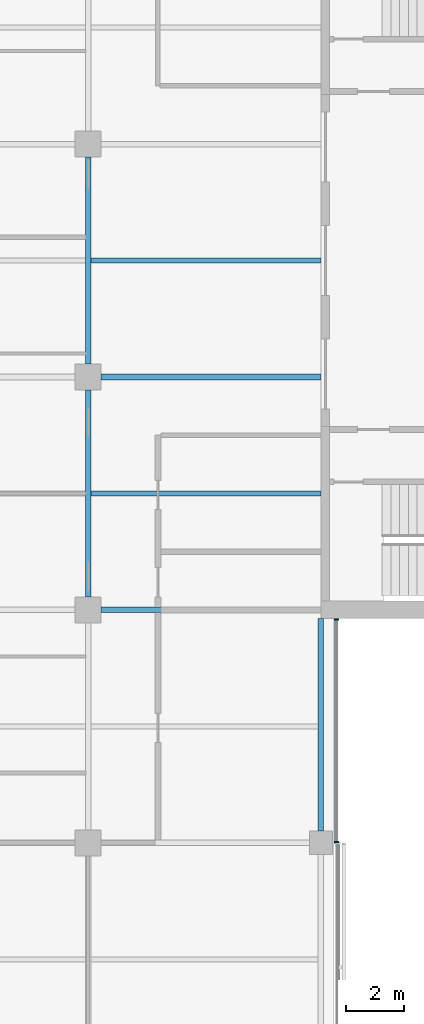
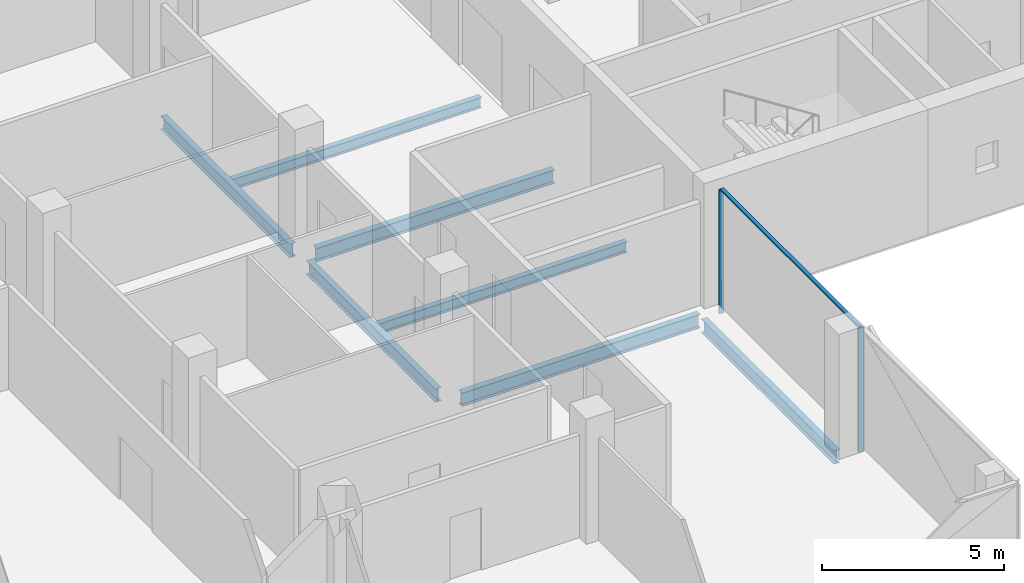
# One storey, part 4 of 15: 7 beams, 3 members, 1 element without a shape of its own.
"""IFC4 building model written with IfcOpenShell, lengths in metres."""

import ifcopenshell
import ifcopenshell.guid

model = None  # the IFC model being written
_history = None  # IfcOwnerHistory: only IFC2X3 demands one
_inside = {}  # id of a spatial element -> (the spatial element, [elements in it])
_under = {}  # id of a project, library or spatial element -> (it, [spatial elements below it])
_declared = {}  # id of a project -> (the project, [libraries it declares])
_typed = {}  # id of a type object -> (the type object, [elements of that type])
_made_of = {}  # id of a material, layer set ... -> (it, [elements and type objects made of it])


def new_model(schema):
    """Start an empty IFC model of exactly this schema.

    Asked for "IFC4X3", IfcOpenShell would pick the latest addendum, in which some entities
    have other attributes; the version numbers below select the first issue.
    IFC2X3 requires an IfcOwnerHistory on every rooted entity: one is made here for all.
    """
    global model, _history
    if schema == "IFC4X3":
        model = ifcopenshell.file(schema_version=(4, 3, 0, 0))
    else:
        model = ifcopenshell.file(schema=schema)
    _inside.clear()
    _under.clear()
    _declared.clear()
    _typed.clear()
    _made_of.clear()
    _history = None
    if model.schema == "IFC2X3":
        org = make("IfcOrganization", Name="unknown")
        user = make(
            "IfcPersonAndOrganization",
            ThePerson=make("IfcPerson", FamilyName="unknown"),
            TheOrganization=org,
        )
        app = make(
            "IfcApplication",
            ApplicationDeveloper=org,
            Version="unknown",
            ApplicationFullName="unknown",
            ApplicationIdentifier="unknown",
        )
        _history = make(
            "IfcOwnerHistory",
            OwningUser=user,
            OwningApplication=app,
            ChangeAction="ADDED",
            CreationDate=0,
        )
    return model


def make(cls, **values):
    """One entity of the class cls with the attributes given. An attribute that is None is left unset."""
    return model.create_entity(
        cls, **{name: value for name, value in values.items() if value is not None}
    )


def rooted(cls, **values):
    """An entity with a GlobalId (a new one), such as an element, a storey or a relation."""
    return make(cls, GlobalId=ifcopenshell.guid.new(), OwnerHistory=_history, **values)


def si_unit(unit_type, name, prefix=None):
    """IfcSIUnit, for example si_unit("LENGTHUNIT", "METRE", prefix="MILLI")."""
    return make("IfcSIUnit", UnitType=unit_type, Prefix=prefix, Name=name)


def assignment(units):
    """IfcUnitAssignment: the units of a project."""
    return None if units is None else make("IfcUnitAssignment", Units=units)


def point(xyz):
    """IfcCartesianPoint."""
    return None if xyz is None else make("IfcCartesianPoint", Coordinates=xyz)


def direction(xyz):
    """IfcDirection."""
    return None if xyz is None else make("IfcDirection", DirectionRatios=xyz)


def frame(location, z_axis=None, x_axis=None):
    """IfcAxis2Placement3D, a coordinate frame: its origin and axes. An axis left out is left unset."""
    return make(
        "IfcAxis2Placement3D",
        Location=point(location),
        Axis=direction(z_axis),
        RefDirection=direction(x_axis),
    )


def frame_2d(location, x_axis=None):
    """IfcAxis2Placement2D, a coordinate frame in the plane: its origin and x axis."""
    return make(
        "IfcAxis2Placement2D", Location=point(location), RefDirection=direction(x_axis)
    )


def origin():
    """The frame at (0, 0, 0) with its axes left unset."""
    return frame((0.0, 0.0, 0.0))


def origin_2d():
    """The frame at (0, 0) in the plane with its x axis left unset."""
    return frame_2d((0.0, 0.0))


def place(relative_to, where):
    """IfcLocalPlacement: puts the frame where relative to a parent placement (None: the world)."""
    return make(
        "IfcLocalPlacement", PlacementRelTo=relative_to, RelativePlacement=where
    )


def context(
    kind, dimensions, precision=None, world=None, true_north=None, identifier=None
):
    """IfcGeometricRepresentationContext, for example the 3D "Model" context."""
    return make(
        "IfcGeometricRepresentationContext",
        ContextIdentifier=identifier,
        ContextType=kind,
        CoordinateSpaceDimension=dimensions,
        Precision=precision,
        WorldCoordinateSystem=world,
        TrueNorth=true_north,
    )


def subcontext(parent, identifier, kind, view, scale=None):
    """IfcGeometricRepresentationSubContext, for example "Body" below "Model"."""
    return make(
        "IfcGeometricRepresentationSubContext",
        ContextIdentifier=identifier,
        ContextType=kind,
        ParentContext=parent,
        TargetScale=scale,
        TargetView=view,
    )


def project(units=None, contexts=None):
    """IfcProject with its units and contexts."""
    return rooted(
        "IfcProject",
        Name="project",
        RepresentationContexts=contexts,
        UnitsInContext=assignment(units),
    )


def spatial(cls, under=None, at=None, **own):
    """A site, building, storey or space (cls), placed at a placement, below another one or the project."""
    s = rooted(cls, ObjectPlacement=at, **own)
    if under is not None:
        _under.setdefault(under.id(), (under, []))[1].append(s)
    return s


def profile(cls, at=None, kind="AREA", **sizes):
    """A parametric profile (cls). Its sizes go by their IFC names, for example OverallWidth=200.0."""
    return make(cls, ProfileType=kind, Position=at, **sizes)


def rectangle(**sizes):
    """IfcRectangleProfileDef."""
    return profile("IfcRectangleProfileDef", **sizes)


def i_section(**sizes):
    """IfcIShapeProfileDef."""
    return profile("IfcIShapeProfileDef", **sizes)


def extrude(swept, where, along, depth):
    """IfcExtrudedAreaSolid: the profile swept, set in the frame where, extruded along a direction by depth."""
    return make(
        "IfcExtrudedAreaSolid",
        SweptArea=swept,
        Position=where,
        ExtrudedDirection=direction(along),
        Depth=depth,
    )


def shape(context_of_items, identifier, shape_type, items):
    """IfcShapeRepresentation: the items that make up one representation, for example the "Body"."""
    return make(
        "IfcShapeRepresentation",
        ContextOfItems=context_of_items,
        RepresentationIdentifier=identifier,
        RepresentationType=shape_type,
        Items=items,
    )


def material(Name=None, Category=None):
    """IfcMaterial."""
    return make("IfcMaterial", Name=Name, Category=Category)


def material_profile(
    of_material, cross_section, Name=None, Category=None, Priority=None
):
    """IfcMaterialProfile: a cross section and its material."""
    return make(
        "IfcMaterialProfile",
        Name=Name,
        Material=of_material,
        Profile=cross_section,
        Priority=Priority,
        Category=Category,
    )


def profile_set(profiles, Name=None, composite=None):
    """IfcMaterialProfileSet."""
    return make(
        "IfcMaterialProfileSet",
        Name=Name,
        MaterialProfiles=profiles,
        CompositeProfile=composite,
    )


def made_of(thing, what):
    """Note that an element or type object is made of a material, layer set ...; save() writes the relation."""
    if what is not None:
        _made_of.setdefault(what.id(), (what, []))[1].append(thing)
    return thing


def type_object(cls, material=None, **own):
    """A type object (cls), such as IfcWallType, which elements share."""
    return made_of(rooted(cls, **own), material)


def element(
    cls,
    number,
    at=None,
    inside=None,
    cuts=None,
    type_object=None,
    material=None,
    context=None,
    identifier="Body",
    shape_type=None,
    held_by="IfcProductDefinitionShape",
    body=None,
    shapes=None,
    **own,
):
    """One element of the class cls, such as IfcWall. Its Tag is "e" and its number.

    at: its placement. inside: the storey or other place that contains it. cuts: it is an
    opening in that element (IfcRelVoidsElement). A single representation is given by context,
    identifier, shape_type and body (its items); several are given by shapes. held_by: the class
    of the entity that holds the representations. save() writes the other relations.
    """
    e = rooted(cls, Tag="e%d" % number, ObjectPlacement=at, **own)
    if body is not None:
        shapes = [shape(context, identifier, shape_type, body)]
    if shapes is not None:
        e.Representation = make(held_by, Representations=shapes)
    if inside is not None:
        _inside.setdefault(inside.id(), (inside, []))[1].append(e)
    if cuts is not None:
        rooted(
            "IfcRelVoidsElement", RelatingBuildingElement=cuts, RelatedOpeningElement=e
        )
    if type_object is not None:
        _typed.setdefault(type_object.id(), (type_object, []))[1].append(e)
    return made_of(e, material)


def aggregate(whole, parts):
    """IfcRelAggregates: a whole, such as a stair, and the parts it consists of."""
    return rooted("IfcRelAggregates", RelatingObject=whole, RelatedObjects=parts)


def save(model, path):
    """Write the relations noted so far, then the file.

    IfcRelAggregates (storeys below a building ...), IfcRelContainedInSpatialStructure (elements
    in a storey), IfcRelDefinesByType, IfcRelAssociatesMaterial and IfcRelDeclares: one each for
    every whole, place, type object, material and project.
    """
    for whole, parts in _under.values():
        aggregate(whole, parts)
    for where, things in _inside.values():
        rooted(
            "IfcRelContainedInSpatialStructure",
            RelatedElements=things,
            RelatingStructure=where,
        )
    for kind, things in _typed.values():
        rooted("IfcRelDefinesByType", RelatedObjects=things, RelatingType=kind)
    for what, things in _made_of.values():
        rooted("IfcRelAssociatesMaterial", RelatedObjects=things, RelatingMaterial=what)
    for by, libraries in _declared.values():
        rooted("IfcRelDeclares", RelatingContext=by, RelatedDefinitions=libraries)
    model.write(path)


model = new_model("IFC4")

# Units and contexts
model_context = context("Model", 3, precision=1e-05, world=origin(), true_north=direction((0.0, 1.0)))
body_context = subcontext(model_context, "Body", "Model", "MODEL_VIEW")
ifc_project = project(units=[si_unit("LENGTHUNIT", "METRE"), si_unit("AREAUNIT", "SQUARE_METRE"), si_unit("VOLUMEUNIT", "CUBIC_METRE"), si_unit("PLANEANGLEUNIT", "RADIAN"), si_unit("MASSUNIT", "GRAM", prefix="KILO")], contexts=[model_context])

# Site, building, storey
site_placement = place(None, origin())
site = spatial("IfcSite", under=ifc_project, at=site_placement, CompositionType="ELEMENT")
building_placement = place(site_placement, origin())
building = spatial("IfcBuilding", under=site, at=building_placement, Name="Crosswind Convention Tower", CompositionType="ELEMENT")
storey_placement = place(building_placement, frame((0.0, 0.0, 183.10009765625)))
storey = spatial("IfcBuildingStorey", under=building, at=storey_placement, Name="L38", CompositionType="ELEMENT", Elevation=183.10009765625)

# Beams
ifc_material_1 = material(Name="Steel S355", Category="steel")
ifc_material_profile_1 = material_profile(ifc_material_1, i_section(OverallWidth=0.18994140625, OverallDepth=0.45361328125, WebThickness=0.008544921875, FlangeThickness=0.0126953125, FilletRadius=0.01025390625, at=origin_2d()), Name="UB 457x191x67")
ifc_profile_set_1 = profile_set([ifc_material_profile_1], Name="Steel S355")
beam_type_1 = type_object("IfcBeamType", Name="Edge beam UB 457x191x67", PredefinedType="SPANDREL", material=ifc_profile_set_1)
beam_placement = place(storey_placement, frame((137.0, 80.39990234375, -0.52685546875), z_axis=(0.0, 1.0, 0.0), x_axis=(-1.0, 0.0, 0.0)))
element("IfcBeam", 1, at=beam_placement, inside=storey, type_object=beam_type_1, Name="B16 L38 edge beam 12", PredefinedType="SPANDREL", context=body_context, shape_type="SweptSolid", body=[
    extrude(i_section(OverallWidth=0.18994140625, OverallDepth=0.45361328125, WebThickness=0.008544921875, FlangeThickness=0.0126953125, FilletRadius=0.01025390625, at=origin_2d()), origin(), (0.0, 0.0, 1.0), 7.300048828125),
])
ifc_material_profile_2 = material_profile(ifc_material_1, i_section(OverallWidth=0.1904296875, OverallDepth=0.457275390625, WebThickness=0.009033203125, FlangeThickness=0.014404296875, FilletRadius=0.01025390625, at=origin_2d()), Name="UB 457x191x75")
ifc_profile_set_2 = profile_set([ifc_material_profile_2], Name="Steel S355")
beam_type_2 = type_object("IfcBeamType", Name="Girder UB 457x191x75", PredefinedType="BEAM", material=ifc_profile_set_2)
for number, where, z_axis, x_axis, name in (
    (2, (129.0, 88.449951171875, -0.52880859375), (0.0, 1.0, 0.0), (-1.0, 0.0, 0.0), "B2 L38 girder 18"),
    (3, (129.0, 96.449951171875, -0.52880859375), (0.0, 1.0, 0.0), (-1.0, 0.0, 0.0), "B2 L38 girder 19"),
):
    element("IfcBeam", number, at=place(storey_placement, frame(where, z_axis=z_axis, x_axis=x_axis)), inside=storey, type_object=beam_type_2, Name=name, PredefinedType="BEAM", context=body_context, shape_type="SweptSolid", body=[
        extrude(i_section(OverallWidth=0.1904296875, OverallDepth=0.457275390625, WebThickness=0.009033203125, FlangeThickness=0.014404296875, FilletRadius=0.01025390625, at=origin_2d()), origin(), (0.0, 0.0, 1.0), 7.10009765625),
    ])
ifc_material_profile_3 = material_profile(ifc_material_1, i_section(OverallWidth=0.19140625, OverallDepth=0.460205078125, WebThickness=0.010009765625, FlangeThickness=0.01611328125, FilletRadius=0.01025390625, at=origin_2d()), Name="UB 457x191x82")
ifc_profile_set_3 = profile_set([ifc_material_profile_3], Name="Steel S355")
beam_type_3 = type_object("IfcBeamType", Name="Girder at core wall UB 457x191x82", PredefinedType="BEAM", material=ifc_profile_set_3)
for number, where, z_axis, x_axis, name in (
    (4, (129.449951171875, 88.0, -0.5302734375), (1.0, 0.0, 0.0), (0.0, 1.0, 0.0), "B23 L38 girder at core wall 5"),
    (5, (129.449951171875, 96.0, -0.5302734375), (1.0, 0.0, 0.0), (0.0, 1.0, 0.0), "B23 L38 girder at core wall 6"),
):
    element("IfcBeam", number, at=place(storey_placement, frame(where, z_axis=z_axis, x_axis=x_axis)), inside=storey, type_object=beam_type_3, Name=name, PredefinedType="BEAM", context=body_context, shape_type="SweptSolid", body=[
        extrude(i_section(OverallWidth=0.19140625, OverallDepth=0.460205078125, WebThickness=0.010009765625, FlangeThickness=0.01611328125, FilletRadius=0.01025390625, at=origin_2d()), origin(), (0.0, 0.0, 1.0), 7.550048828125),
    ])

# Curtain wall, members
ifc_material_2 = material(Name="Aluminium unitised curtain wall", Category="aluminium")
curtain_wall_type = type_object("IfcCurtainWallType", Name="CORE END SLOT WALL 160", PredefinedType="USERDEFINED", material=ifc_material_2)
curtain_wall_placement = place(storey_placement, origin())
curtain_wall = element("IfcCurtainWall", 6, at=curtain_wall_placement, inside=storey, type_object=curtain_wall_type, Name="CW6 L38 S-E.1-2 slot", ObjectType="UNITISED", PredefinedType="USERDEFINED")
ifc_material_3 = material(Name="Aluminium mullion", Category="aluminium")
ifc_material_profile_4 = material_profile(ifc_material_3, rectangle(XDim=0.159912109375, YDim=0.050048828125, at=origin_2d()), Name="AL 160X50")
ifc_profile_set_4 = profile_set([ifc_material_profile_4], Name="Aluminium mullion")
member_type_1 = type_object("IfcMemberType", Name="MULLION 50X160", PredefinedType="MULLION", material=ifc_profile_set_4)
member_1_placement = place(storey_placement, frame((137.530029296875, 80.02490234375, -0.300048828125), z_axis=(0.0, 0.0, 1.0), x_axis=(1.0, 0.0, 0.0)))
member_1 = element("IfcMember", 7, at=member_1_placement, type_object=member_type_1, Name="CW6 mullion 1", PredefinedType="MULLION", context=body_context, shape_type="SweptSolid", body=[
    extrude(rectangle(XDim=0.159912109375, YDim=0.050048828125, at=origin_2d()), origin(), (0.0, 0.0, 1.0), 4.14990234375),
])
member_2_placement = place(storey_placement, frame((137.530029296875, 87.675048828125, -0.300048828125), z_axis=(0.0, 0.0, 1.0), x_axis=(1.0, 0.0, 0.0)))
member_2 = element("IfcMember", 8, at=member_2_placement, type_object=member_type_1, Name="CW6 mullion 2", PredefinedType="MULLION", context=body_context, shape_type="SweptSolid", body=[
    extrude(rectangle(XDim=0.159912109375, YDim=0.050048828125, at=origin_2d()), origin(), (0.0, 0.0, 1.0), 4.14990234375),
])

# Beams
ifc_material_profile_5 = material_profile(ifc_material_1, i_section(OverallWidth=0.172119140625, OverallDepth=0.358642578125, WebThickness=0.008056640625, FlangeThickness=0.012939453125, FilletRadius=0.01025390625, at=origin_2d()), Name="UB 356x171x57")
ifc_profile_set_5 = profile_set([ifc_material_profile_5], Name="Steel S355")
beam_type_4 = type_object("IfcBeamType", Name="Secondary beam UB 356x171x57", PredefinedType="JOIST", material=ifc_profile_set_5)
for number, where, z_axis, x_axis, name in (
    (9, (129.09521484375, 92.0, -0.4794921875), (1.0, 0.0, 0.0), (0.0, 1.0, 0.0), "B9 L38 secondary beam 17"),
    (10, (129.09521484375, 100.0, -0.4794921875), (1.0, 0.0, 0.0), (0.0, 1.0, 0.0), "B9 L38 secondary beam 18"),
):
    element("IfcBeam", number, at=place(storey_placement, frame(where, z_axis=z_axis, x_axis=x_axis)), inside=storey, type_object=beam_type_4, Name=name, PredefinedType="JOIST", context=body_context, shape_type="SweptSolid", body=[
        extrude(i_section(OverallWidth=0.172119140625, OverallDepth=0.358642578125, WebThickness=0.008056640625, FlangeThickness=0.012939453125, FilletRadius=0.01025390625, at=origin_2d()), origin(), (0.0, 0.0, 1.0), 7.90478515625),
    ])

# Member
ifc_material_4 = material(Name="Aluminium transom", Category="aluminium")
ifc_material_profile_6 = material_profile(ifc_material_4, rectangle(XDim=0.1201171875, YDim=0.050048828125, at=origin_2d()), Name="AL 120X50")
ifc_profile_set_6 = profile_set([ifc_material_profile_6], Name="Aluminium transom")
member_type_2 = type_object("IfcMemberType", Name="TRANSOM 50X120", PredefinedType="USERDEFINED", material=ifc_profile_set_6)
member_3_placement = place(storey_placement, frame((137.530029296875, 80.050048828125, 3.875), z_axis=(0.0, 1.0, 0.0), x_axis=(-1.0, 0.0, 0.0)))
member_3 = element("IfcMember", 11, at=member_3_placement, type_object=member_type_2, Name="CW6 transom", ObjectType="TRANSOM", PredefinedType="USERDEFINED", context=body_context, shape_type="SweptSolid", body=[
    extrude(rectangle(XDim=0.1201171875, YDim=0.050048828125, at=origin_2d()), origin(), (0.0, 0.0, 1.0), 7.599853515625),
])

aggregate(curtain_wall, [member_1, member_2, member_3])

save(model, "model.ifc")
